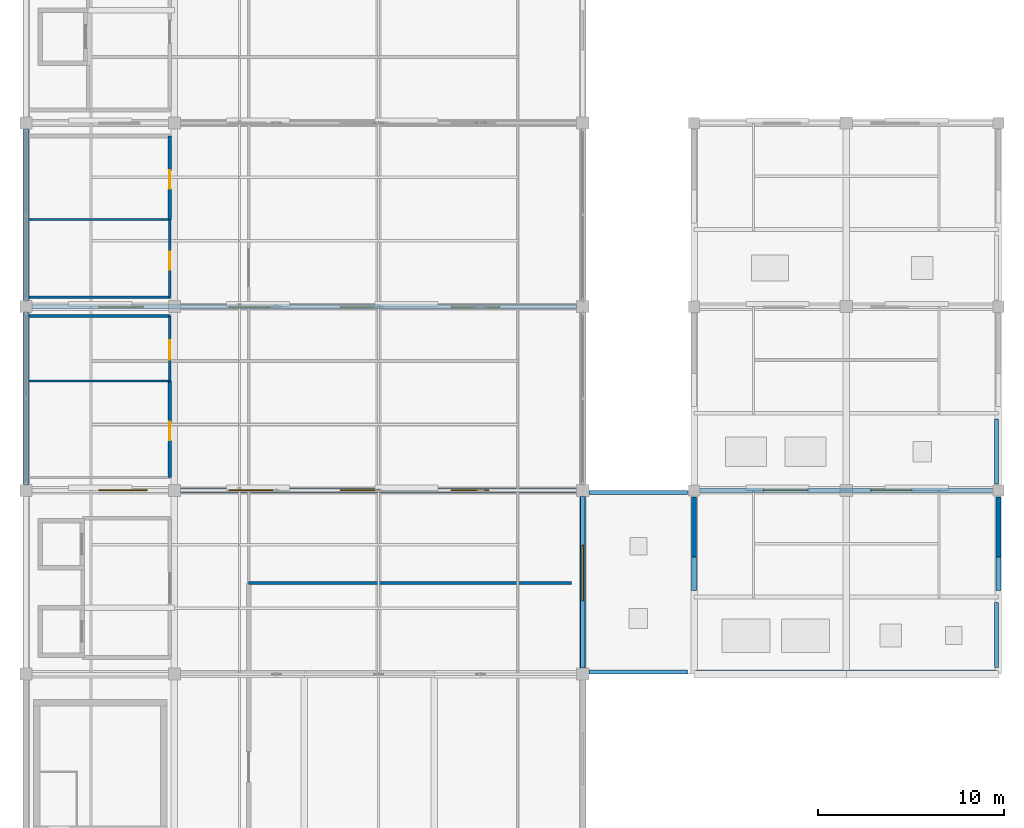
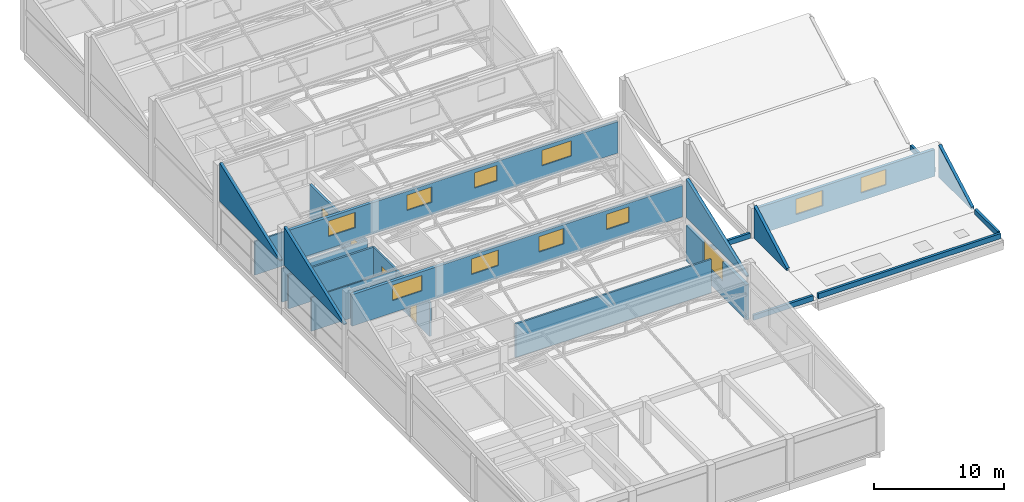
# One storey, part 30 of 35: 23 walls, 11 windows, 4 doors, 15 openings.
"""IFC4 building model written with IfcOpenShell, lengths in metres."""

from ifc_helpers import new_model, si_unit, direction, frame, frame_2d, origin, place, context, subcontext, project, spatial, polyline, rectangle, outline, extrude, material, layer, layer_set, type_object, element, fill, save


model = new_model("IFC4")

# Units and contexts
model_context = context("Model", 3, precision=1e-05, world=origin(), true_north=direction((0.0, 1.0)))
body_context = subcontext(model_context, "Body", "Model", "MODEL_VIEW")
ifc_project = project(units=[si_unit("LENGTHUNIT", "METRE"), si_unit("AREAUNIT", "SQUARE_METRE"), si_unit("VOLUMEUNIT", "CUBIC_METRE"), si_unit("PLANEANGLEUNIT", "RADIAN"), si_unit("MASSUNIT", "GRAM", prefix="KILO")], contexts=[model_context])

# Site, building, storey
site_placement = place(None, origin())
site = spatial("IfcSite", under=ifc_project, at=site_placement, CompositionType="ELEMENT")
building_placement = place(site_placement, origin())
building = spatial("IfcBuilding", under=site, at=building_placement, Name="Sillaruma Civic Art Gallery", CompositionType="ELEMENT")
storey_placement = place(building_placement, frame((0.0, 0.0, 74.4599609375)))
storey = spatial("IfcBuildingStorey", under=building, at=storey_placement, Name="L15", CompositionType="ELEMENT", Elevation=74.4599609375)

# Wall, openings, windows
ifc_material_1 = material(Name="Concrete H35 (35 MPa)", Category="concrete")
ifc_layer_1 = layer(ifc_material_1, 0.14990234375, Name="Spandrel concrete", Category="concrete")
ifc_material_2 = material(Name="Mineral Wool Thermal Insulation", Category="insulation")
ifc_layer_2 = layer(ifc_material_2, 0.080078125, Name="Thermal insulation", Category="insulation")
ifc_material_3 = material(Name="Anodised Zinc-Aluminium Alloy", Category="aluminium")
ifc_layer_3 = layer(ifc_material_3, 0.030029296875, Name="Cladding finish", Category="aluminium")
ifc_layer_set_1 = layer_set([ifc_layer_1, ifc_layer_2, ifc_layer_3], Name="W-EXT-260")
wall_type_1 = type_object("IfcWallType", Name="WAL-EXT-260", PredefinedType="SOLIDWALL", material=ifc_layer_set_1)
wall_1_placement = place(storey_placement, frame((62.324951171875, 49.5, 4.0400390625), z_axis=(0.0, 0.0, 1.0), x_axis=(1.0, 0.0, 0.0)))
wall_1 = element("IfcWall", 1, at=wall_1_placement, inside=storey, type_object=wall_type_1, Name="Exterior Wall W-EXT-260 (SAW-L15-MON-1)", PredefinedType="SOLIDWALL", context=body_context, shape_type="SweptSolid", body=[
    extrude(rectangle(XDim=29.35009765625, YDim=0.260009765625, at=frame_2d((14.675048828125, 0.0))), origin(), (0.0, 0.0, 1.0), 2.95556640625),
])
opening_1_placement = place(wall_1_placement, frame((3.60009765625, 0.0, 1.14990234375)))
opening_1 = element("IfcOpeningElement", 2, at=opening_1_placement, cuts=wall_1, Name="Opening SK-01", PredefinedType="OPENING", context=body_context, shape_type="SweptSolid", body=[
    extrude(rectangle(XDim=2.60009765625, YDim=1.449951171875, at=frame_2d((1.300048828125, 0.72509765625))), frame((0.0, 0.139892578125, 0.0), z_axis=(0.0, -1.0, 0.0), x_axis=(1.0, 0.0, 0.0)), (0.0, 0.0, 1.0), 0.280029296875),
])
opening_2_placement = place(wall_1_placement, frame((10.60009765625, 0.0, 1.14990234375)))
opening_2 = element("IfcOpeningElement", 3, at=opening_2_placement, cuts=wall_1, Name="Opening SK-02", PredefinedType="OPENING", context=body_context, shape_type="SweptSolid", body=[
    extrude(rectangle(XDim=2.39990234375, YDim=1.449951171875, at=frame_2d((1.199951171875, 0.72509765625))), frame((0.0, 0.139892578125, 0.0), z_axis=(0.0, -1.0, 0.0), x_axis=(1.0, 0.0, 0.0)), (0.0, 0.0, 1.0), 0.280029296875),
])
opening_3_placement = place(wall_1_placement, frame((16.60009765625, 0.0, 1.14990234375)))
opening_3 = element("IfcOpeningElement", 4, at=opening_3_placement, cuts=wall_1, Name="Opening SK-03", PredefinedType="OPENING", context=body_context, shape_type="SweptSolid", body=[
    extrude(rectangle(XDim=2.199951171875, YDim=1.449951171875, at=frame_2d((1.10009765625, 0.72509765625))), frame((0.0, 0.139892578125, 0.0), z_axis=(0.0, -1.0, 0.0), x_axis=(1.0, 0.0, 0.0)), (0.0, 0.0, 1.0), 0.280029296875),
])
opening_4_placement = place(wall_1_placement, frame((22.60009765625, 0.0, 1.14990234375)))
opening_4 = element("IfcOpeningElement", 5, at=opening_4_placement, cuts=wall_1, Name="Opening SK-04", PredefinedType="OPENING", context=body_context, shape_type="SweptSolid", body=[
    extrude(rectangle(XDim=2.0, YDim=1.449951171875, at=frame_2d((1.0, 0.72509765625))), frame((0.0, 0.139892578125, 0.0), z_axis=(0.0, -1.0, 0.0), x_axis=(1.0, 0.0, 0.0)), (0.0, 0.0, 1.0), 0.280029296875),
])
ifc_material_4 = material(Name="Thermally Broken Extruded Aluminium 6063-T6", Category="aluminium")
window_type_1 = type_object("IfcWindowType", Name="WIN-SKY-01", PartitioningType="SINGLE_PANEL", PredefinedType="SKYLIGHT", material=ifc_material_4)
window_1_placement = place(opening_1_placement, origin())
window_1 = element("IfcWindow", 6, at=window_1_placement, inside=storey, type_object=window_type_1, Name="Window SK-01 (SAW-L15-MON-1-1)", OverallHeight=1.449951171875, OverallWidth=2.60009765625, PartitioningType="SINGLE_PANEL", PredefinedType="SKYLIGHT", context=body_context, shape_type="SweptSolid", body=[
    extrude(rectangle(XDim=2.60009765625, YDim=1.449951171875, at=frame_2d((1.300048828125, 0.72509765625))), frame((0.0, 0.030029296875, 0.0), z_axis=(0.0, -1.0, 0.0), x_axis=(1.0, 0.0, 0.0)), (0.0, 0.0, 1.0), 0.06005859375),
])
fill(opening_1, window_1)
window_type_2 = type_object("IfcWindowType", Name="WIN-SKY-02", PartitioningType="SINGLE_PANEL", PredefinedType="SKYLIGHT", material=ifc_material_4)
window_2_placement = place(opening_2_placement, origin())
window_2 = element("IfcWindow", 7, at=window_2_placement, inside=storey, type_object=window_type_2, Name="Window SK-02 (SAW-L15-MON-1-2)", OverallHeight=1.449951171875, OverallWidth=2.39990234375, PartitioningType="SINGLE_PANEL", PredefinedType="SKYLIGHT", context=body_context, shape_type="SweptSolid", body=[
    extrude(rectangle(XDim=2.39990234375, YDim=1.449951171875, at=frame_2d((1.199951171875, 0.72509765625))), frame((0.0, 0.030029296875, 0.0), z_axis=(0.0, -1.0, 0.0), x_axis=(1.0, 0.0, 0.0)), (0.0, 0.0, 1.0), 0.06005859375),
])
fill(opening_2, window_2)
window_type_3 = type_object("IfcWindowType", Name="WIN-SKY-03", PartitioningType="SINGLE_PANEL", PredefinedType="SKYLIGHT", material=ifc_material_4)
window_3_placement = place(opening_3_placement, origin())
window_3 = element("IfcWindow", 8, at=window_3_placement, inside=storey, type_object=window_type_3, Name="Window SK-03 (SAW-L15-MON-1-3)", OverallHeight=1.449951171875, OverallWidth=2.199951171875, PartitioningType="SINGLE_PANEL", PredefinedType="SKYLIGHT", context=body_context, shape_type="SweptSolid", body=[
    extrude(rectangle(XDim=2.199951171875, YDim=1.449951171875, at=frame_2d((1.10009765625, 0.72509765625))), frame((0.0, 0.030029296875, 0.0), z_axis=(0.0, -1.0, 0.0), x_axis=(1.0, 0.0, 0.0)), (0.0, 0.0, 1.0), 0.06005859375),
])
fill(opening_3, window_3)
window_type_4 = type_object("IfcWindowType", Name="WIN-SKY-04", PartitioningType="SINGLE_PANEL", PredefinedType="SKYLIGHT", material=ifc_material_4)
window_4_placement = place(opening_4_placement, origin())
window_4 = element("IfcWindow", 9, at=window_4_placement, inside=storey, type_object=window_type_4, Name="Window SK-04 (SAW-L15-MON-1-4)", OverallHeight=1.449951171875, OverallWidth=2.0, PartitioningType="SINGLE_PANEL", PredefinedType="SKYLIGHT", context=body_context, shape_type="SweptSolid", body=[
    extrude(rectangle(XDim=2.0, YDim=1.449951171875, at=frame_2d((1.0, 0.72509765625))), frame((0.0, 0.030029296875, 0.0), z_axis=(0.0, -1.0, 0.0), x_axis=(1.0, 0.0, 0.0)), (0.0, 0.0, 1.0), 0.06005859375),
])
fill(opening_4, window_4)

# Wall
wall_2_placement = place(storey_placement, frame((92.0, 39.925048828125, 4.0400390625), z_axis=(0.0, 0.0, 1.0), x_axis=(0.0, 1.0, 0.0)))
element("IfcWall", 10, at=wall_2_placement, inside=storey, type_object=wall_type_1, Name="Sawtooth Monitor Gable Cheek (1-E)", PredefinedType="SOLIDWALL", context=body_context, shape_type="SweptSolid", body=[
    extrude(outline(polyline([(0.0, 0.0), (9.25, 0.0), (9.25, 3.6201171875), (0.0, 0.10009765625), (0.0, 0.0)])), frame((0.0, 0.1298828125, 0.0), z_axis=(0.0, -1.0, 0.0), x_axis=(1.0, 0.0, 0.0)), (0.0, 0.0, 1.0), 0.260009765625),
])

# Wall, openings, windows
wall_3_placement = place(storey_placement, frame((62.324951171875, 59.39990234375, 4.0400390625), z_axis=(0.0, 0.0, 1.0), x_axis=(1.0, 0.0, 0.0)))
wall_3 = element("IfcWall", 11, at=wall_3_placement, inside=storey, type_object=wall_type_1, Name="Exterior Wall W-EXT-260 (SAW-L15-MON-2)", PredefinedType="SOLIDWALL", context=body_context, shape_type="SweptSolid", body=[
    extrude(rectangle(XDim=29.35009765625, YDim=0.260009765625, at=frame_2d((14.675048828125, 0.0))), origin(), (0.0, 0.0, 1.0), 2.95556640625),
])
opening_5_placement = place(wall_3_placement, frame((3.60009765625, 0.0, 1.14990234375)))
opening_5 = element("IfcOpeningElement", 12, at=opening_5_placement, cuts=wall_3, Name="Opening SK-02", PredefinedType="OPENING", context=body_context, shape_type="SweptSolid", body=[
    extrude(rectangle(XDim=2.39990234375, YDim=1.449951171875, at=frame_2d((1.199951171875, 0.72509765625))), frame((0.0, 0.139892578125, 0.0), z_axis=(0.0, -1.0, 0.0), x_axis=(1.0, 0.0, 0.0)), (0.0, 0.0, 1.0), 0.280029296875),
])
opening_6_placement = place(wall_3_placement, frame((10.60009765625, 0.0, 1.14990234375)))
opening_6 = element("IfcOpeningElement", 13, at=opening_6_placement, cuts=wall_3, Name="Opening SK-03", PredefinedType="OPENING", context=body_context, shape_type="SweptSolid", body=[
    extrude(rectangle(XDim=2.199951171875, YDim=1.449951171875, at=frame_2d((1.10009765625, 0.72509765625))), frame((0.0, 0.139892578125, 0.0), z_axis=(0.0, -1.0, 0.0), x_axis=(1.0, 0.0, 0.0)), (0.0, 0.0, 1.0), 0.280029296875),
])
opening_7_placement = place(wall_3_placement, frame((16.60009765625, 0.0, 1.14990234375)))
opening_7 = element("IfcOpeningElement", 14, at=opening_7_placement, cuts=wall_3, Name="Opening SK-04", PredefinedType="OPENING", context=body_context, shape_type="SweptSolid", body=[
    extrude(rectangle(XDim=2.0, YDim=1.449951171875, at=frame_2d((1.0, 0.72509765625))), frame((0.0, 0.139892578125, 0.0), z_axis=(0.0, -1.0, 0.0), x_axis=(1.0, 0.0, 0.0)), (0.0, 0.0, 1.0), 0.280029296875),
])
opening_8_placement = place(wall_3_placement, frame((22.60009765625, 0.0, 1.14990234375)))
opening_8 = element("IfcOpeningElement", 15, at=opening_8_placement, cuts=wall_3, Name="Opening SK-01", PredefinedType="OPENING", context=body_context, shape_type="SweptSolid", body=[
    extrude(rectangle(XDim=2.60009765625, YDim=1.449951171875, at=frame_2d((1.300048828125, 0.72509765625))), frame((0.0, 0.139892578125, 0.0), z_axis=(0.0, -1.0, 0.0), x_axis=(1.0, 0.0, 0.0)), (0.0, 0.0, 1.0), 0.280029296875),
])
window_5_placement = place(opening_8_placement, origin())
window_5 = element("IfcWindow", 16, at=window_5_placement, inside=storey, type_object=window_type_1, Name="Window SK-01 (SAW-L15-MON-2-4)", OverallHeight=1.449951171875, OverallWidth=2.60009765625, PartitioningType="SINGLE_PANEL", PredefinedType="SKYLIGHT", context=body_context, shape_type="SweptSolid", body=[
    extrude(rectangle(XDim=2.60009765625, YDim=1.449951171875, at=frame_2d((1.300048828125, 0.72509765625))), frame((0.0, 0.030029296875, 0.0), z_axis=(0.0, -1.0, 0.0), x_axis=(1.0, 0.0, 0.0)), (0.0, 0.0, 1.0), 0.06005859375),
])
fill(opening_8, window_5)
window_6_placement = place(opening_5_placement, origin())
window_6 = element("IfcWindow", 17, at=window_6_placement, inside=storey, type_object=window_type_2, Name="Window SK-02 (SAW-L15-MON-2-1)", OverallHeight=1.449951171875, OverallWidth=2.39990234375, PartitioningType="SINGLE_PANEL", PredefinedType="SKYLIGHT", context=body_context, shape_type="SweptSolid", body=[
    extrude(rectangle(XDim=2.39990234375, YDim=1.449951171875, at=frame_2d((1.199951171875, 0.72509765625))), frame((0.0, 0.030029296875, 0.0), z_axis=(0.0, -1.0, 0.0), x_axis=(1.0, 0.0, 0.0)), (0.0, 0.0, 1.0), 0.06005859375),
])
fill(opening_5, window_6)
window_7_placement = place(opening_6_placement, origin())
window_7 = element("IfcWindow", 18, at=window_7_placement, inside=storey, type_object=window_type_3, Name="Window SK-03 (SAW-L15-MON-2-2)", OverallHeight=1.449951171875, OverallWidth=2.199951171875, PartitioningType="SINGLE_PANEL", PredefinedType="SKYLIGHT", context=body_context, shape_type="SweptSolid", body=[
    extrude(rectangle(XDim=2.199951171875, YDim=1.449951171875, at=frame_2d((1.10009765625, 0.72509765625))), frame((0.0, 0.030029296875, 0.0), z_axis=(0.0, -1.0, 0.0), x_axis=(1.0, 0.0, 0.0)), (0.0, 0.0, 1.0), 0.06005859375),
])
fill(opening_6, window_7)
window_8_placement = place(opening_7_placement, origin())
window_8 = element("IfcWindow", 19, at=window_8_placement, inside=storey, type_object=window_type_4, Name="Window SK-04 (SAW-L15-MON-2-3)", OverallHeight=1.449951171875, OverallWidth=2.0, PartitioningType="SINGLE_PANEL", PredefinedType="SKYLIGHT", context=body_context, shape_type="SweptSolid", body=[
    extrude(rectangle(XDim=2.0, YDim=1.449951171875, at=frame_2d((1.0, 0.72509765625))), frame((0.0, 0.030029296875, 0.0), z_axis=(0.0, -1.0, 0.0), x_axis=(1.0, 0.0, 0.0)), (0.0, 0.0, 1.0), 0.06005859375),
])
fill(opening_7, window_8)

# Walls
for number, where, z_axis, x_axis, name in (
    (20, (62.0, 49.824951171875, 4.0400390625), (0.0, 0.0, 1.0), (0.0, 1.0, 0.0), "Sawtooth Monitor Gable Cheek (2-W)"),
    (21, (62.0, 59.72509765625, 4.0400390625), (0.0, 0.0, 1.0), (0.0, 1.0, 0.0), "Sawtooth Monitor Gable Cheek (3-W)"),
):
    element("IfcWall", number, at=place(storey_placement, frame(where, z_axis=z_axis, x_axis=x_axis)), inside=storey, type_object=wall_type_1, Name=name, PredefinedType="SOLIDWALL", context=body_context, shape_type="SweptSolid", body=[
        extrude(outline(polyline([(0.0, 0.0), (9.25, 0.0), (9.25, 3.6201171875), (0.0, 0.10009765625), (0.0, 0.0)])), frame((0.0, 0.1298828125, 0.0), z_axis=(0.0, -1.0, 0.0), x_axis=(1.0, 0.0, 0.0)), (0.0, 0.0, 1.0), 0.260009765625),
    ])

# Wall, openings, windows
wall_4_placement = place(storey_placement, frame((98.330078125, 49.5, 0.0), z_axis=(0.0, 0.0, 1.0), x_axis=(1.0, 0.0, 0.0)))
wall_4 = element("IfcWall", 22, at=wall_4_placement, inside=storey, type_object=wall_type_1, Name="Exterior Wall W-EXT-260 (SAW-EHH-MON-1)", PredefinedType="SOLIDWALL", context=body_context, shape_type="SweptSolid", body=[
    extrude(rectangle(XDim=15.739990234375, YDim=0.260009765625, at=frame_2d((7.8701171875, 0.0))), origin(), (0.0, 0.0, 1.0), 2.531494140625),
])
opening_9_placement = place(wall_4_placement, frame((3.39990234375, 0.0, 0.719970703125)))
opening_9 = element("IfcOpeningElement", 23, at=opening_9_placement, cuts=wall_4, Name="Opening SK-02", PredefinedType="OPENING", context=body_context, shape_type="SweptSolid", body=[
    extrude(rectangle(XDim=2.39990234375, YDim=1.449951171875, at=frame_2d((1.199951171875, 0.72509765625))), frame((0.0, 0.139892578125, 0.0), z_axis=(0.0, -1.0, 0.0), x_axis=(1.0, 0.0, 0.0)), (0.0, 0.0, 1.0), 0.280029296875),
])
opening_10_placement = place(wall_4_placement, frame((9.199951171875, 0.0, 0.719970703125)))
opening_10 = element("IfcOpeningElement", 24, at=opening_10_placement, cuts=wall_4, Name="Opening SK-03", PredefinedType="OPENING", context=body_context, shape_type="SweptSolid", body=[
    extrude(rectangle(XDim=2.199951171875, YDim=1.449951171875, at=frame_2d((1.10009765625, 0.72509765625))), frame((0.0, 0.139892578125, 0.0), z_axis=(0.0, -1.0, 0.0), x_axis=(1.0, 0.0, 0.0)), (0.0, 0.0, 1.0), 0.280029296875),
])
window_9_placement = place(opening_9_placement, origin())
window_9 = element("IfcWindow", 25, at=window_9_placement, inside=storey, type_object=window_type_2, Name="Window SK-02 (SAW-EHH-MON-1-1)", OverallHeight=1.449951171875, OverallWidth=2.39990234375, PartitioningType="SINGLE_PANEL", PredefinedType="SKYLIGHT", context=body_context, shape_type="SweptSolid", body=[
    extrude(rectangle(XDim=2.39990234375, YDim=1.449951171875, at=frame_2d((1.199951171875, 0.72509765625))), frame((0.0, 0.030029296875, 0.0), z_axis=(0.0, -1.0, 0.0), x_axis=(1.0, 0.0, 0.0)), (0.0, 0.0, 1.0), 0.06005859375),
])
fill(opening_9, window_9)
window_10_placement = place(opening_10_placement, origin())
window_10 = element("IfcWindow", 26, at=window_10_placement, inside=storey, type_object=window_type_3, Name="Window SK-03 (SAW-EHH-MON-1-2)", OverallHeight=1.449951171875, OverallWidth=2.199951171875, PartitioningType="SINGLE_PANEL", PredefinedType="SKYLIGHT", context=body_context, shape_type="SweptSolid", body=[
    extrude(rectangle(XDim=2.199951171875, YDim=1.449951171875, at=frame_2d((1.10009765625, 0.72509765625))), frame((0.0, 0.030029296875, 0.0), z_axis=(0.0, -1.0, 0.0), x_axis=(1.0, 0.0, 0.0)), (0.0, 0.0, 1.0), 0.06005859375),
])
fill(opening_10, window_10)

# Walls
for number, where, z_axis, x_axis, name in (
    (27, (98.0, 44.110107421875, 0.0), (0.0, 0.0, 1.0), (0.0, 1.0, 0.0), "East Crown Sawtooth Gable Cheek (1-W)"),
    (28, (114.39990234375, 44.110107421875, 0.0), (0.0, 0.0, 1.0), (0.0, 1.0, 0.0), "East Crown Sawtooth Gable Cheek (1-E)"),
):
    element("IfcWall", number, at=place(storey_placement, frame(where, z_axis=z_axis, x_axis=x_axis)), inside=storey, type_object=wall_type_1, Name=name, PredefinedType="SOLIDWALL", context=body_context, shape_type="SweptSolid", body=[
        extrude(outline(polyline([(0.0, 0.0), (5.039794921875, 0.0), (5.0400390625, 3.02001953125), (0.0, 0.199951171875), (0.0, 0.0)])), frame((0.0, 0.1298828125, 0.0), z_axis=(0.0, -1.0, 0.0), x_axis=(1.0, 0.0, 0.0)), (0.0, 0.0, 1.0), 0.260009765625),
    ])

# Wall, opening, window
ifc_layer_4 = layer(ifc_material_1, 0.159912109375, Name="Concrete backup", Category="concrete")
ifc_layer_5 = layer(ifc_material_2, 0.090087890625, Name="Thermal insulation", Category="insulation")
ifc_layer_6 = layer(ifc_material_3, 0.030029296875, Name="Rainscreen finish", Category="aluminium")
ifc_layer_set_2 = layer_set([ifc_layer_4, ifc_layer_5, ifc_layer_6], Name="W-EXT-280")
wall_type_2 = type_object("IfcWallType", Name="WAL-EXT-280", PredefinedType="SOLIDWALL", material=ifc_layer_set_2)
wall_5_placement = place(storey_placement, frame((92.0, 39.925048828125, 0.0), z_axis=(0.0, 0.0, 1.0), x_axis=(0.0, 1.0, 0.0)))
wall_5 = element("IfcWall", 29, at=wall_5_placement, inside=storey, type_object=wall_type_2, Name="Exterior Wall W-EXT-280 (EW-L15-WBE-3)", PredefinedType="SOLIDWALL", context=body_context, shape_type="SweptSolid", body=[
    extrude(rectangle(XDim=9.25, YDim=0.280029296875, at=frame_2d((4.625, 0.0))), origin(), (0.0, 0.0, 1.0), 3.2900390625),
])
opening_11_placement = place(wall_5_placement, frame((3.625, 0.0, 1.449951171875)))
opening_11 = element("IfcOpeningElement", 30, at=opening_11_placement, cuts=wall_5, Name="Opening WN-10", PredefinedType="OPENING", context=body_context, shape_type="SweptSolid", body=[
    extrude(rectangle(XDim=3.0, YDim=1.949951171875, at=frame_2d((1.5, 0.97509765625))), frame((0.0, 0.14990234375, 0.0), z_axis=(0.0, -1.0, 0.0), x_axis=(1.0, 0.0, 0.0)), (0.0, 0.0, 1.0), 0.300048828125),
])
window_type_5 = type_object("IfcWindowType", Name="WIN-W10", PartitioningType="SINGLE_PANEL", PredefinedType="WINDOW", material=ifc_material_4)
window_11_placement = place(opening_11_placement, origin())
window_11 = element("IfcWindow", 31, at=window_11_placement, inside=storey, type_object=window_type_5, Name="Window WN-10 (EW-L15-WBE-3-1)", OverallHeight=1.949951171875, OverallWidth=3.0, PartitioningType="SINGLE_PANEL", PredefinedType="WINDOW", context=body_context, shape_type="SweptSolid", body=[
    extrude(rectangle(XDim=3.0, YDim=1.949951171875, at=frame_2d((1.5, 0.97509765625))), frame((0.0, 0.030029296875, 0.0), z_axis=(0.0, -1.0, 0.0), x_axis=(1.0, 0.0, 0.0)), (0.0, 0.0, 1.0), 0.06005859375),
])
fill(opening_11, window_11)

# Wall, opening, door
ifc_material_5 = material(Name="Concrete Masonry Unit Grade M15", Category="masonry")
ifc_layer_7 = layer(ifc_material_5, 0.199951171875, Name="Concrete Masonry Unit Grade M15")
ifc_layer_set_3 = layer_set([ifc_layer_7], Name="Concrete Masonry Unit Grade M15")
wall_type_3 = type_object("IfcWallType", Name="WAL-LOBBY-200", PredefinedType="SOLIDWALL", material=ifc_layer_set_3)
wall_6_placement = place(storey_placement, frame((69.75, 64.10009765625, 0.0), z_axis=(0.0, 0.0, 1.0), x_axis=(0.0, 1.0, 0.0)))
wall_6 = element("IfcWall", 32, at=wall_6_placement, inside=storey, type_object=wall_type_3, Name="Interior Wall W-LOBBY-200 (L15-RSR)", PredefinedType="SOLIDWALL", context=body_context, shape_type="SweptSolid", body=[
    extrude(rectangle(XDim=4.5, YDim=0.199951171875, at=frame_2d((2.25, 0.0))), origin(), (0.0, 0.0, 1.0), 3.16015625),
])
opening_12_placement = place(wall_6_placement, frame((1.64990234375, 0.0, 0.0)))
opening_12 = element("IfcOpeningElement", 33, at=opening_12_placement, cuts=wall_6, Name="Opening D-RISER", PredefinedType="OPENING", context=body_context, shape_type="SweptSolid", body=[
    extrude(rectangle(XDim=1.0, YDim=2.14990234375, at=frame_2d((0.5, 1.074951171875))), frame((0.0, 0.10986328125, 0.0), z_axis=(0.0, -1.0, 0.0), x_axis=(1.0, 0.0, 0.0)), (0.0, 0.0, 1.0), 0.219970703125),
])
ifc_material_6 = material(Name="Galvanised Steel ASTM A653 Gr.50", Category="steel")
door_type_1 = type_object("IfcDoorType", Name="DOR-RISER-100", OperationType="NOTDEFINED", PredefinedType="DOOR", material=ifc_material_6)
door_1_placement = place(opening_12_placement, origin())
door_1 = element("IfcDoor", 34, at=door_1_placement, inside=storey, type_object=door_type_1, Name="MEP Service Riser Door (D-RISER)", OperationType="SINGLE_SWING_LEFT", OverallHeight=2.14990234375, OverallWidth=1.0, PredefinedType="DOOR", context=body_context, shape_type="SweptSolid", body=[
    extrude(rectangle(XDim=1.0, YDim=2.14990234375, at=frame_2d((0.5, 1.074951171875))), frame((0.0, 0.02490234375, 0.0), z_axis=(0.0, -1.0, 0.0), x_axis=(1.0, 0.0, 0.0)), (0.0, 0.0, 1.0), 0.050048828125),
])
fill(opening_12, door_1)

# Walls
ifc_layer_8 = layer(ifc_material_1, 0.219970703125, Name="Concrete H35 (35 MPa)")
ifc_layer_set_4 = layer_set([ifc_layer_8], Name="Concrete H35 (35 MPa)")
wall_type_4 = type_object("IfcWallType", Name="WAL-PAR-220", PredefinedType="PARAPET", material=ifc_layer_set_4)
wall_7_placement = place(storey_placement, frame((98.10009765625, 39.7099609375, 0.0), z_axis=(0.0, 0.0, 1.0), x_axis=(1.0, 0.0, 0.0)))
element("IfcWall", 35, at=wall_7_placement, inside=storey, type_object=wall_type_4, Name="Roof Parapet (L15-EHH-S)", PredefinedType="PARAPET", context=body_context, shape_type="SweptSolid", body=[
    extrude(rectangle(XDim=16.199951171875, YDim=0.219970703125, at=frame_2d((8.10009765625, 0.0))), origin(), (0.0, 0.0, 1.0), 0.47998046875),
])
for number, where, z_axis, x_axis, name in (
    (36, (92.35009765625, 39.7099609375, 0.0), (0.0, 0.0, 1.0), (1.0, 0.0, 0.0), "Roof Parapet (L15-BRG-S)"),
    (37, (92.35009765625, 49.389892578125, 0.0), (0.0, 0.0, 1.0), (1.0, 0.0, 0.0), "Roof Parapet (L15-BRG-N)"),
):
    element("IfcWall", number, at=place(storey_placement, frame(where, z_axis=z_axis, x_axis=x_axis)), inside=storey, type_object=wall_type_4, Name=name, PredefinedType="PARAPET", context=body_context, shape_type="SweptSolid", body=[
        extrude(rectangle(XDim=5.2998046875, YDim=0.219970703125, at=frame_2d((2.64990234375, 0.0))), origin(), (0.0, 0.0, 1.0), 0.47998046875),
    ])
for number, where, z_axis, x_axis, name in (
    (38, (114.2900390625, 39.949951171875, 0.0), (0.0, 0.0, 1.0), (0.0, 1.0, 0.0), "Roof Parapet (L15-EV1-E)"),
    (39, (114.2900390625, 49.85009765625, 0.0), (0.0, 0.0, 1.0), (0.0, 1.0, 0.0), "Roof Parapet (L15-EV2-E)"),
):
    element("IfcWall", number, at=place(storey_placement, frame(where, z_axis=z_axis, x_axis=x_axis)), inside=storey, type_object=wall_type_4, Name=name, PredefinedType="PARAPET", context=body_context, shape_type="SweptSolid", body=[
        extrude(rectangle(XDim=3.5, YDim=0.219970703125, at=frame_2d((1.75, 0.0))), origin(), (0.0, 0.0, 1.0), 0.47998046875),
    ])
ifc_material_7 = material(Name="Gypsum Acoustic Board", Category="gypsum")
ifc_layer_9 = layer(ifc_material_7, 0.02490234375, Name="Finish board", Category="gypsum")
ifc_layer_10 = layer(ifc_material_2, 0.06005859375, Name="Acoustic core", Category="insulation")
ifc_material_8 = material(Name="Andean Oak Timber", Category="wood")
ifc_layer_11 = layer(ifc_material_8, 0.02490234375, Name="Gallery lining", Category="wood")
ifc_layer_set_5 = layer_set([ifc_layer_9, ifc_layer_10, ifc_layer_11], Name="W-PT-110")
wall_type_5 = type_object("IfcWallType", Name="WAL-PART-110", PredefinedType="PARTITIONING", material=ifc_layer_set_5)
wall_8_placement = place(storey_placement, frame((62.14990234375, 55.39990234375, 0.0), z_axis=(0.0, 0.0, 1.0), x_axis=(1.0, 0.0, 0.0)))
element("IfcWall", 40, at=wall_8_placement, inside=storey, type_object=wall_type_5, Name="Interior Wall W-PT-110 (L15-WC1)", PredefinedType="PARTITIONING", context=body_context, shape_type="SweptSolid", body=[
    extrude(rectangle(XDim=7.60009765625, YDim=0.110107421875, at=frame_2d((3.800048828125, 0.0))), origin(), (0.0, 0.0, 1.0), 3.16015625),
])

# Wall, opening, door
ifc_layer_12 = layer(ifc_material_7, 0.02490234375, Name="Finish board", Category="gypsum")
ifc_layer_13 = layer(ifc_material_2, 0.070068359375, Name="Acoustic core", Category="insulation")
ifc_layer_14 = layer(ifc_material_8, 0.02490234375, Name="Gallery lining", Category="wood")
ifc_layer_set_6 = layer_set([ifc_layer_12, ifc_layer_13, ifc_layer_14], Name="W-PT-120")
wall_type_6 = type_object("IfcWallType", Name="WAL-PART-120", PredefinedType="PARTITIONING", material=ifc_layer_set_6)
wall_9_placement = place(storey_placement, frame((69.75, 59.89990234375, 0.0), z_axis=(0.0, 0.0, 1.0), x_axis=(0.0, 1.0, 0.0)))
wall_9 = element("IfcWall", 41, at=wall_9_placement, inside=storey, type_object=wall_type_6, Name="Interior Wall W-PT-120 (L15-CLN)", PredefinedType="PARTITIONING", context=body_context, shape_type="SweptSolid", body=[
    extrude(rectangle(XDim=4.2001953125, YDim=0.1201171875, at=frame_2d((2.10009765625, 0.0))), origin(), (0.0, 0.0, 1.0), 3.16015625),
])
opening_13_placement = place(wall_9_placement, frame((1.5, 0.0, 0.0)))
opening_13 = element("IfcOpeningElement", 42, at=opening_13_placement, cuts=wall_9, Name="Opening D-SVC09", PredefinedType="OPENING", context=body_context, shape_type="SweptSolid", body=[
    extrude(rectangle(XDim=0.949951171875, YDim=2.10009765625, at=frame_2d((0.47509765625, 1.050048828125))), frame((0.0, 0.070068359375, 0.0), z_axis=(0.0, -1.0, 0.0), x_axis=(1.0, 0.0, 0.0)), (0.0, 0.0, 1.0), 0.14013671875),
])
door_type_2 = type_object("IfcDoorType", Name="DOR-SVC-095", OperationType="NOTDEFINED", PredefinedType="DOOR", material=ifc_material_8)
door_2_placement = place(opening_13_placement, origin())
door_2 = element("IfcDoor", 43, at=door_2_placement, inside=storey, type_object=door_type_2, Name="Cleaner Store Door (D-SVC09)", OperationType="SINGLE_SWING_RIGHT", OverallHeight=2.10009765625, OverallWidth=0.949951171875, PredefinedType="DOOR", context=body_context, shape_type="SweptSolid", body=[
    extrude(rectangle(XDim=0.949951171875, YDim=2.10009765625, at=frame_2d((0.47509765625, 1.050048828125))), frame((0.0, 0.02490234375, 0.0), z_axis=(0.0, -1.0, 0.0), x_axis=(1.0, 0.0, 0.0)), (0.0, 0.0, 1.0), 0.050048828125),
])
fill(opening_13, door_2)

# Walls
ifc_layer_15 = layer(ifc_material_7, 0.02490234375, Name="Finish board", Category="gypsum")
ifc_layer_16 = layer(ifc_material_2, 0.080078125, Name="Acoustic core", Category="insulation")
ifc_layer_17 = layer(ifc_material_8, 0.02490234375, Name="Gallery lining", Category="wood")
ifc_layer_set_7 = layer_set([ifc_layer_15, ifc_layer_16, ifc_layer_17], Name="W-PT-130")
wall_type_7 = type_object("IfcWallType", Name="WAL-PART-130", PredefinedType="PARTITIONING", material=ifc_layer_set_7)
wall_10_placement = place(storey_placement, frame((62.14990234375, 64.10009765625, 0.0), z_axis=(0.0, 0.0, 1.0), x_axis=(1.0, 0.0, 0.0)))
element("IfcWall", 44, at=wall_10_placement, inside=storey, type_object=wall_type_7, Name="Interior Wall W-PT-130 (L15-CLN)", PredefinedType="PARTITIONING", context=body_context, shape_type="SweptSolid", body=[
    extrude(rectangle(XDim=7.60009765625, YDim=0.1298828125, at=frame_2d((3.800048828125, 0.0))), origin(), (0.0, 0.0, 1.0), 3.16015625),
])
ifc_layer_18 = layer(ifc_material_7, 0.02490234375, Name="Finish board", Category="gypsum")
ifc_layer_19 = layer(ifc_material_2, 0.090087890625, Name="Acoustic core", Category="insulation")
ifc_layer_20 = layer(ifc_material_8, 0.02490234375, Name="Gallery lining", Category="wood")
ifc_layer_set_8 = layer_set([ifc_layer_18, ifc_layer_19, ifc_layer_20], Name="W-PT-140")
wall_type_8 = type_object("IfcWallType", Name="WAL-PART-140", PredefinedType="PARTITIONING", material=ifc_layer_set_8)
wall_11_placement = place(storey_placement, frame((62.14990234375, 59.89990234375, 0.0), z_axis=(0.0, 0.0, 1.0), x_axis=(1.0, 0.0, 0.0)))
element("IfcWall", 45, at=wall_11_placement, inside=storey, type_object=wall_type_8, Name="Interior Wall W-PT-140 (L15-CLN)", PredefinedType="PARTITIONING", context=body_context, shape_type="SweptSolid", body=[
    extrude(rectangle(XDim=7.60009765625, YDim=0.139892578125, at=frame_2d((3.800048828125, 0.0))), origin(), (0.0, 0.0, 1.0), 3.16015625),
])

# Wall, opening, door
ifc_layer_21 = layer(ifc_material_7, 0.02490234375, Name="Finish board", Category="gypsum")
ifc_layer_22 = layer(ifc_material_2, 0.10009765625, Name="Acoustic core", Category="insulation")
ifc_layer_23 = layer(ifc_material_8, 0.02490234375, Name="Gallery lining", Category="wood")
ifc_layer_set_9 = layer_set([ifc_layer_21, ifc_layer_22, ifc_layer_23], Name="W-PT-150")
wall_type_9 = type_object("IfcWallType", Name="WAL-PART-150", PredefinedType="PARTITIONING", material=ifc_layer_set_9)
wall_12_placement = place(storey_placement, frame((69.75, 55.39990234375, 0.0), z_axis=(0.0, 0.0, 1.0), x_axis=(0.0, 1.0, 0.0)))
wall_12 = element("IfcWall", 46, at=wall_12_placement, inside=storey, type_object=wall_type_9, Name="Interior Wall W-PT-150 (L15-WCA)", PredefinedType="PARTITIONING", context=body_context, shape_type="SweptSolid", body=[
    extrude(rectangle(XDim=3.5, YDim=0.14990234375, at=frame_2d((1.75, 0.0))), origin(), (0.0, 0.0, 1.0), 3.16015625),
])
opening_14_placement = place(wall_12_placement, frame((1.14990234375, 0.0, 0.0)))
opening_14 = element("IfcOpeningElement", 47, at=opening_14_placement, cuts=wall_12, Name="Opening D-AWC10", PredefinedType="OPENING", context=body_context, shape_type="SweptSolid", body=[
    extrude(rectangle(XDim=1.050048828125, YDim=2.14990234375, at=frame_2d((0.52490234375, 1.074951171875))), frame((0.0, 0.0849609375, 0.0), z_axis=(0.0, -1.0, 0.0), x_axis=(1.0, 0.0, 0.0)), (0.0, 0.0, 1.0), 0.169921875),
])
door_type_3 = type_object("IfcDoorType", Name="DOR-AWC-105", OperationType="NOTDEFINED", PredefinedType="DOOR", material=ifc_material_8)
door_3_placement = place(opening_14_placement, origin())
door_3 = element("IfcDoor", 48, at=door_3_placement, inside=storey, type_object=door_type_3, Name="Accessible WC Door (D-AWC10)", OperationType="SINGLE_SWING_LEFT", OverallHeight=2.14990234375, OverallWidth=1.050048828125, PredefinedType="DOOR", context=body_context, shape_type="SweptSolid", body=[
    extrude(rectangle(XDim=1.050048828125, YDim=2.14990234375, at=frame_2d((0.52490234375, 1.074951171875))), frame((0.0, 0.02490234375, 0.0), z_axis=(0.0, -1.0, 0.0), x_axis=(1.0, 0.0, 0.0)), (0.0, 0.0, 1.0), 0.050048828125),
])
fill(opening_14, door_3)

# Walls
ifc_layer_24 = layer(ifc_material_7, 0.02490234375, Name="Finish board", Category="gypsum")
ifc_layer_25 = layer(ifc_material_2, 0.114990234375, Name="Acoustic core", Category="insulation")
ifc_layer_26 = layer(ifc_material_8, 0.02490234375, Name="Gallery lining", Category="wood")
ifc_layer_set_10 = layer_set([ifc_layer_24, ifc_layer_25, ifc_layer_26], Name="W-PT-165")
wall_type_10 = type_object("IfcWallType", Name="WAL-PART-165", PredefinedType="PARTITIONING", material=ifc_layer_set_10)
wall_13_placement = place(storey_placement, frame((62.14990234375, 58.89990234375, 0.0), z_axis=(0.0, 0.0, 1.0), x_axis=(1.0, 0.0, 0.0)))
element("IfcWall", 49, at=wall_13_placement, inside=storey, type_object=wall_type_10, Name="Interior Wall W-PT-165 (L15-WCA)", PredefinedType="PARTITIONING", context=body_context, shape_type="SweptSolid", body=[
    extrude(rectangle(XDim=7.60009765625, YDim=0.1650390625, at=frame_2d((3.800048828125, 0.0))), origin(), (0.0, 0.0, 1.0), 3.16015625),
])
wall_14_placement = place(storey_placement, frame((74.0, 44.5, 0.0), z_axis=(0.0, 0.0, 1.0), x_axis=(1.0, 0.0, 0.0)))
element("IfcWall", 50, at=wall_14_placement, inside=storey, type_object=wall_type_10, Name="Interior Wall W-PT-165 (L15-GAL15)", PredefinedType="PARTITIONING", context=body_context, shape_type="SweptSolid", body=[
    extrude(rectangle(XDim=17.39990234375, YDim=0.1650390625, at=frame_2d((8.699951171875, 0.0))), origin(), (0.0, 0.0, 1.0), 3.16015625),
])

# Wall, opening, door
ifc_layer_27 = layer(ifc_material_7, 0.02490234375, Name="Finish board", Category="gypsum")
ifc_layer_28 = layer(ifc_material_2, 0.1298828125, Name="Acoustic core", Category="insulation")
ifc_layer_29 = layer(ifc_material_8, 0.02490234375, Name="Gallery lining", Category="wood")
ifc_layer_set_11 = layer_set([ifc_layer_27, ifc_layer_28, ifc_layer_29], Name="W-PT-180")
wall_type_11 = type_object("IfcWallType", Name="WAL-PART-180", PredefinedType="PARTITIONING", material=ifc_layer_set_11)
wall_15_placement = place(storey_placement, frame((69.75, 50.199951171875, 0.0), z_axis=(0.0, 0.0, 1.0), x_axis=(0.0, 1.0, 0.0)))
wall_15 = element("IfcWall", 51, at=wall_15_placement, inside=storey, type_object=wall_type_11, Name="Interior Wall W-PT-180 (L15-WC1)", PredefinedType="PARTITIONING", context=body_context, shape_type="SweptSolid", body=[
    extrude(rectangle(XDim=5.199951171875, YDim=0.179931640625, at=frame_2d((2.60009765625, 0.0))), origin(), (0.0, 0.0, 1.0), 3.16015625),
])
opening_15_placement = place(wall_15_placement, frame((2.0, 0.0, 0.0)))
opening_15 = element("IfcOpeningElement", 52, at=opening_15_placement, cuts=wall_15, Name="Opening D-WC10", PredefinedType="OPENING", context=body_context, shape_type="SweptSolid", body=[
    extrude(rectangle(XDim=1.0, YDim=2.10009765625, at=frame_2d((0.5, 1.050048828125))), frame((0.0, 0.099853515625, 0.0), z_axis=(0.0, -1.0, 0.0), x_axis=(1.0, 0.0, 0.0)), (0.0, 0.0, 1.0), 0.199951171875),
])
door_type_4 = type_object("IfcDoorType", Name="DOR-WC-100", OperationType="NOTDEFINED", PredefinedType="DOOR", material=ifc_material_8)
door_4_placement = place(opening_15_placement, origin())
door_4 = element("IfcDoor", 53, at=door_4_placement, inside=storey, type_object=door_type_4, Name="Public WC Door (D-WC10)", OperationType="SINGLE_SWING_RIGHT", OverallHeight=2.10009765625, OverallWidth=1.0, PredefinedType="DOOR", context=body_context, shape_type="SweptSolid", body=[
    extrude(rectangle(XDim=1.0, YDim=2.10009765625, at=frame_2d((0.5, 1.050048828125))), frame((0.0, 0.02490234375, 0.0), z_axis=(0.0, -1.0, 0.0), x_axis=(1.0, 0.0, 0.0)), (0.0, 0.0, 1.0), 0.050048828125),
])
fill(opening_15, door_4)

save(model, "model.ifc")
